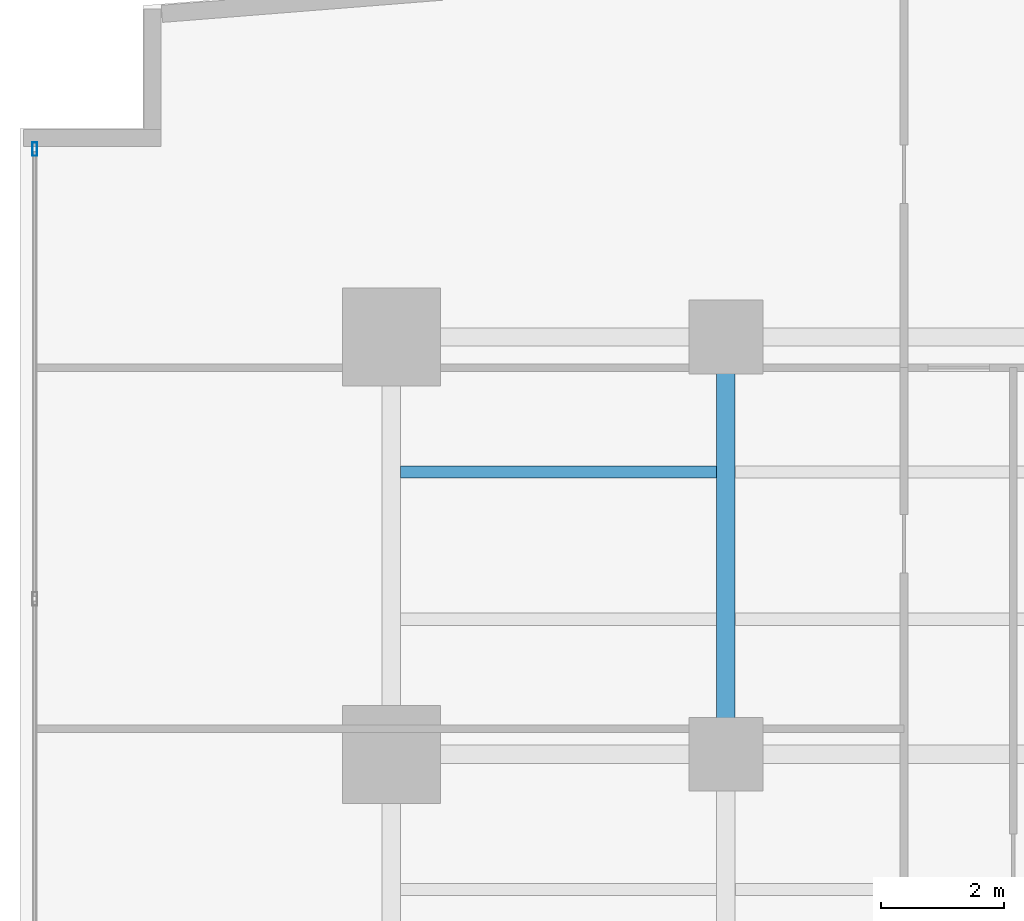
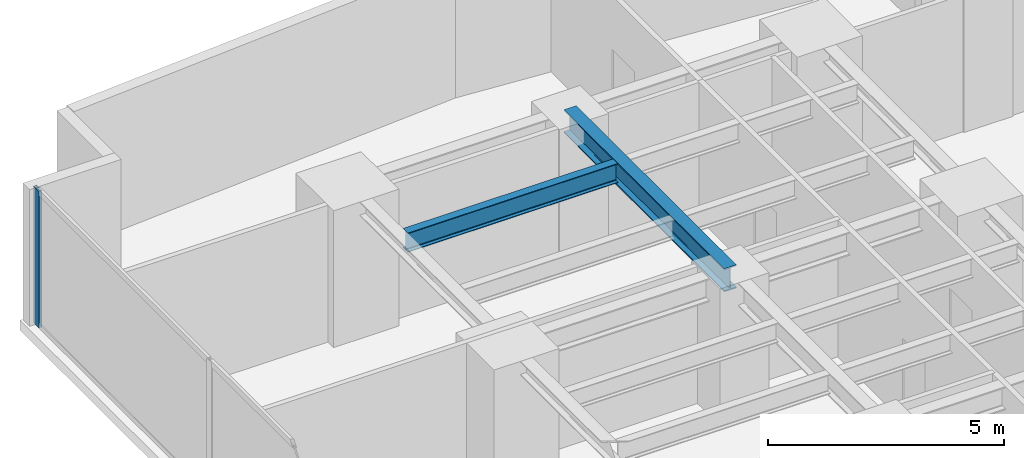
# One storey, part 17 of 27: 2 beams, 1 member, 1 element without a shape of its own.
"""IFC4 building model written with IfcOpenShell, lengths in metres."""

from ifc_helpers import new_model, si_unit, direction, frame, origin, origin_with_axes, origin_2d, place, context, subcontext, project, spatial, hollow_rectangle, i_section, extrude, source, transform, mapped, material, layer, layer_set, material_profile, profile_set, type_object, element, aggregate, save


model = new_model("IFC4")

# Units and contexts
model_context = context("Model", 3, precision=1e-05, world=origin(), true_north=direction((0.0, 1.0)))
body_context = subcontext(model_context, "Body", "Model", "MODEL_VIEW")
ifc_project = project(units=[si_unit("LENGTHUNIT", "METRE"), si_unit("AREAUNIT", "SQUARE_METRE"), si_unit("VOLUMEUNIT", "CUBIC_METRE"), si_unit("PLANEANGLEUNIT", "RADIAN"), si_unit("MASSUNIT", "GRAM", prefix="KILO")], contexts=[model_context])

# Site, building, storey
site_placement = place(None, origin())
site = spatial("IfcSite", under=ifc_project, at=site_placement, CompositionType="ELEMENT")
building_placement = place(site_placement, origin())
building = spatial("IfcBuilding", under=site, at=building_placement, Name="Kolvaren Waterfront Exchange", CompositionType="ELEMENT")
storey_placement = place(building_placement, frame((0.0, 0.0, 63.800048828125)))
storey = spatial("IfcBuildingStorey", under=building, at=storey_placement, Name="L16", CompositionType="ELEMENT", Elevation=63.800048828125)

# Beams
ifc_material_1 = material(Name="Steel S355", Category="steel")
ifc_material_profile_1 = material_profile(ifc_material_1, i_section(OverallWidth=0.300048828125, OverallDepth=0.60009765625, WebThickness=0.015380859375, FlangeThickness=0.030029296875, FilletRadius=0.027099609375, at=origin_2d()), Name="HEB600")
ifc_profile_set_1 = profile_set([ifc_material_profile_1], Name="Steel S355")
beam_type_1 = type_object("IfcBeamType", Name="STR-BM-HEB600", PredefinedType="BEAM", material=ifc_profile_set_1)
beam_1_placement = place(storey_placement, frame((12.89990234375, 37.800048828125, 3.239990234375), z_axis=(0.0, 1.0, 0.0), x_axis=(-1.0, 0.0, 0.0)))
element("IfcBeam", 1, at=beam_1_placement, inside=storey, type_object=beam_type_1, Name="L16 north-arm edge beam 3", PredefinedType="BEAM", context=body_context, shape_type="SweptSolid", body=[
    extrude(i_section(OverallWidth=0.300048828125, OverallDepth=0.60009765625, WebThickness=0.015380859375, FlangeThickness=0.030029296875, FilletRadius=0.027099609375, at=origin_2d()), origin(), (0.0, 0.0, 1.0), 6.800048828125),
])
ifc_material_profile_2 = material_profile(ifc_material_1, i_section(OverallWidth=0.199951171875, OverallDepth=0.5, WebThickness=0.01025390625, FlangeThickness=0.01611328125, FilletRadius=0.02099609375, at=origin_2d()), Name="IPE500")
ifc_profile_set_2 = profile_set([ifc_material_profile_2], Name="Steel S355")
beam_type_2 = type_object("IfcBeamType", Name="STR-BM-IPE500", PredefinedType="JOIST", material=ifc_profile_set_2)
beam_2_placement = place(storey_placement, frame((7.60205078125, 42.39990234375, 3.2900390625), z_axis=(1.0, 0.0, 0.0), x_axis=(0.0, 1.0, 0.0)))
element("IfcBeam", 2, at=beam_2_placement, inside=storey, type_object=beam_type_2, Name="L16 north-arm composite joist 6A", PredefinedType="JOIST", context=body_context, shape_type="SweptSolid", body=[
    extrude(i_section(OverallWidth=0.199951171875, OverallDepth=0.5, WebThickness=0.01025390625, FlangeThickness=0.01611328125, FilletRadius=0.02099609375, at=origin_2d()), origin(), (0.0, 0.0, 1.0), 5.14599609375),
])

# Curtain wall, member
ifc_material_2 = material(Name="Anodised aluminium 6063-T6", Category="aluminium")
ifc_layer = layer(ifc_material_2, 0.219970703125, Name="Anodised aluminium 6063-T6")
ifc_layer_set = layer_set([ifc_layer], Name="Anodised aluminium 6063-T6")
curtain_wall_type = type_object("IfcCurtainWallType", Name="ARC-CW-SYS2", PredefinedType="USERDEFINED", material=ifc_layer_set)
curtain_wall_placement = place(storey_placement, origin())
curtain_wall = element("IfcCurtainWall", 3, at=curtain_wall_placement, inside=storey, type_object=curtain_wall_type, Name="L16 stick curtain wall CW2 (CW-L16-W)", ObjectType="STICK CURTAIN WALL", PredefinedType="USERDEFINED")
ifc_material_profile_3 = material_profile(ifc_material_2, hollow_rectangle(XDim=0.080078125, YDim=0.219970703125, WallThickness=0.0048828125, at=origin_2d()), Name="ALU-MUL-220x80x5")
ifc_profile_set_3 = profile_set([ifc_material_profile_3], Name="Anodised aluminium 6063-T6")
member_type = type_object("IfcMemberType", Name="ARC-CWM-220", PredefinedType="MULLION", material=ifc_profile_set_3)
shared_shape = source(origin_with_axes(), body_context, "Body", "SweptSolid", [
    extrude(hollow_rectangle(XDim=0.080078125, YDim=0.219970703125, WallThickness=0.0048828125, at=origin_2d()), origin(), (0.0, 0.0, 1.0), 3.5400390625),
])
member_placement = place(storey_placement, frame((1.639892578125, 47.659912109375, 0.0), z_axis=(0.0, 0.0, 1.0), x_axis=(-1.0, 0.0, 0.0)))
member = element("IfcMember", 4, at=member_placement, type_object=member_type, Name="CW2 mullion 7", PredefinedType="MULLION", context=body_context, shape_type="MappedRepresentation", body=[
    mapped(shared_shape, transform((0.0, 0.0, 0.0), x_axis=(1.0, 0.0, 0.0), y_axis=(0.0, 1.0, 0.0), z_axis=(0.0, 0.0, 1.0), scale=1.0)),
])
aggregate(curtain_wall, [member])

save(model, "model.ifc")
